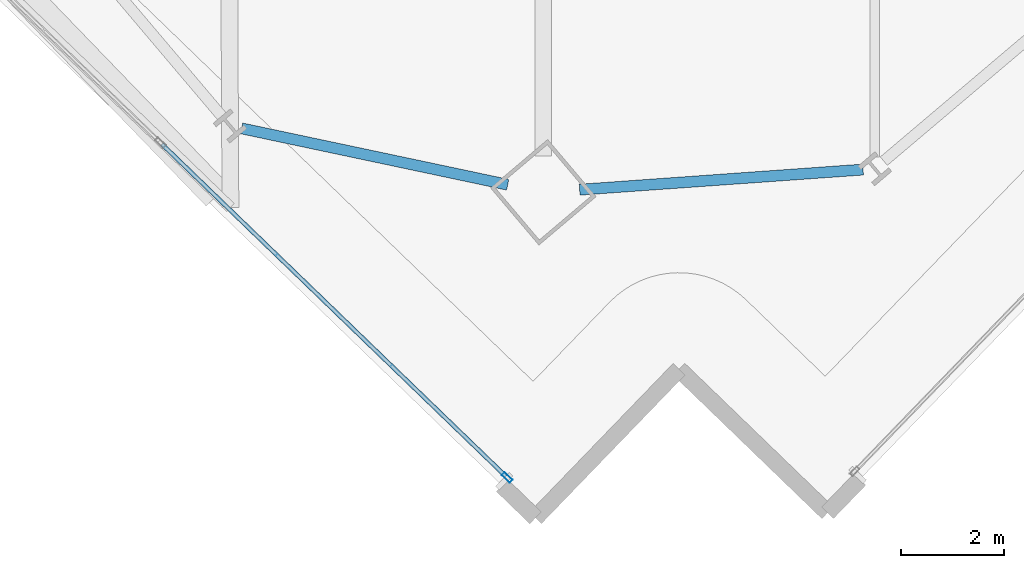
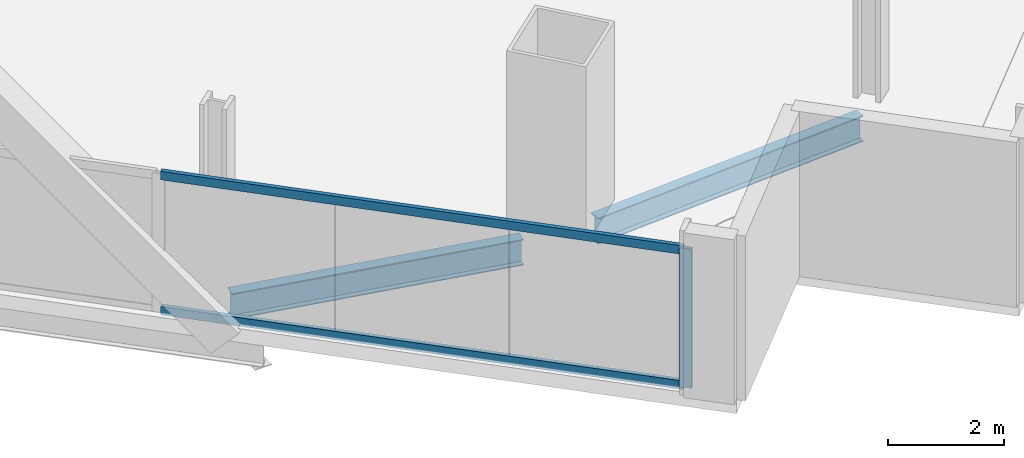
# One storey, part 3 of 33: 3 members, 2 beams, 1 element without a shape of its own.
"""IFC4 building model written with IfcOpenShell, lengths in metres."""

import ifcopenshell
import ifcopenshell.guid

model = None  # the IFC model being written
_history = None  # IfcOwnerHistory: only IFC2X3 demands one
_inside = {}  # id of a spatial element -> (the spatial element, [elements in it])
_under = {}  # id of a project, library or spatial element -> (it, [spatial elements below it])
_declared = {}  # id of a project -> (the project, [libraries it declares])
_typed = {}  # id of a type object -> (the type object, [elements of that type])
_made_of = {}  # id of a material, layer set ... -> (it, [elements and type objects made of it])


def new_model(schema):
    """Start an empty IFC model of exactly this schema.

    Asked for "IFC4X3", IfcOpenShell would pick the latest addendum, in which some entities
    have other attributes; the version numbers below select the first issue.
    IFC2X3 requires an IfcOwnerHistory on every rooted entity: one is made here for all.
    """
    global model, _history
    if schema == "IFC4X3":
        model = ifcopenshell.file(schema_version=(4, 3, 0, 0))
    else:
        model = ifcopenshell.file(schema=schema)
    _inside.clear()
    _under.clear()
    _declared.clear()
    _typed.clear()
    _made_of.clear()
    _history = None
    if model.schema == "IFC2X3":
        org = make("IfcOrganization", Name="unknown")
        user = make(
            "IfcPersonAndOrganization",
            ThePerson=make("IfcPerson", FamilyName="unknown"),
            TheOrganization=org,
        )
        app = make(
            "IfcApplication",
            ApplicationDeveloper=org,
            Version="unknown",
            ApplicationFullName="unknown",
            ApplicationIdentifier="unknown",
        )
        _history = make(
            "IfcOwnerHistory",
            OwningUser=user,
            OwningApplication=app,
            ChangeAction="ADDED",
            CreationDate=0,
        )
    return model


def make(cls, **values):
    """One entity of the class cls with the attributes given. An attribute that is None is left unset."""
    return model.create_entity(
        cls, **{name: value for name, value in values.items() if value is not None}
    )


def rooted(cls, **values):
    """An entity with a GlobalId (a new one), such as an element, a storey or a relation."""
    return make(cls, GlobalId=ifcopenshell.guid.new(), OwnerHistory=_history, **values)


def si_unit(unit_type, name, prefix=None):
    """IfcSIUnit, for example si_unit("LENGTHUNIT", "METRE", prefix="MILLI")."""
    return make("IfcSIUnit", UnitType=unit_type, Prefix=prefix, Name=name)


def assignment(units):
    """IfcUnitAssignment: the units of a project."""
    return None if units is None else make("IfcUnitAssignment", Units=units)


def point(xyz):
    """IfcCartesianPoint."""
    return None if xyz is None else make("IfcCartesianPoint", Coordinates=xyz)


def direction(xyz):
    """IfcDirection."""
    return None if xyz is None else make("IfcDirection", DirectionRatios=xyz)


def frame(location, z_axis=None, x_axis=None):
    """IfcAxis2Placement3D, a coordinate frame: its origin and axes. An axis left out is left unset."""
    return make(
        "IfcAxis2Placement3D",
        Location=point(location),
        Axis=direction(z_axis),
        RefDirection=direction(x_axis),
    )


def frame_2d(location, x_axis=None):
    """IfcAxis2Placement2D, a coordinate frame in the plane: its origin and x axis."""
    return make(
        "IfcAxis2Placement2D", Location=point(location), RefDirection=direction(x_axis)
    )


def origin():
    """The frame at (0, 0, 0) with its axes left unset."""
    return frame((0.0, 0.0, 0.0))


def origin_2d():
    """The frame at (0, 0) in the plane with its x axis left unset."""
    return frame_2d((0.0, 0.0))


def place(relative_to, where):
    """IfcLocalPlacement: puts the frame where relative to a parent placement (None: the world)."""
    return make(
        "IfcLocalPlacement", PlacementRelTo=relative_to, RelativePlacement=where
    )


def context(
    kind, dimensions, precision=None, world=None, true_north=None, identifier=None
):
    """IfcGeometricRepresentationContext, for example the 3D "Model" context."""
    return make(
        "IfcGeometricRepresentationContext",
        ContextIdentifier=identifier,
        ContextType=kind,
        CoordinateSpaceDimension=dimensions,
        Precision=precision,
        WorldCoordinateSystem=world,
        TrueNorth=true_north,
    )


def subcontext(parent, identifier, kind, view, scale=None):
    """IfcGeometricRepresentationSubContext, for example "Body" below "Model"."""
    return make(
        "IfcGeometricRepresentationSubContext",
        ContextIdentifier=identifier,
        ContextType=kind,
        ParentContext=parent,
        TargetScale=scale,
        TargetView=view,
    )


def project(units=None, contexts=None):
    """IfcProject with its units and contexts."""
    return rooted(
        "IfcProject",
        Name="project",
        RepresentationContexts=contexts,
        UnitsInContext=assignment(units),
    )


def spatial(cls, under=None, at=None, **own):
    """A site, building, storey or space (cls), placed at a placement, below another one or the project."""
    s = rooted(cls, ObjectPlacement=at, **own)
    if under is not None:
        _under.setdefault(under.id(), (under, []))[1].append(s)
    return s


def profile(cls, at=None, kind="AREA", **sizes):
    """A parametric profile (cls). Its sizes go by their IFC names, for example OverallWidth=200.0."""
    return make(cls, ProfileType=kind, Position=at, **sizes)


def hollow_rectangle(**sizes):
    """IfcRectangleHollowProfileDef."""
    return profile("IfcRectangleHollowProfileDef", **sizes)


def i_section(**sizes):
    """IfcIShapeProfileDef."""
    return profile("IfcIShapeProfileDef", **sizes)


def extrude(swept, where, along, depth):
    """IfcExtrudedAreaSolid: the profile swept, set in the frame where, extruded along a direction by depth."""
    return make(
        "IfcExtrudedAreaSolid",
        SweptArea=swept,
        Position=where,
        ExtrudedDirection=direction(along),
        Depth=depth,
    )


def shape(context_of_items, identifier, shape_type, items):
    """IfcShapeRepresentation: the items that make up one representation, for example the "Body"."""
    return make(
        "IfcShapeRepresentation",
        ContextOfItems=context_of_items,
        RepresentationIdentifier=identifier,
        RepresentationType=shape_type,
        Items=items,
    )


def material(Name=None, Category=None):
    """IfcMaterial."""
    return make("IfcMaterial", Name=Name, Category=Category)


def material_profile(
    of_material, cross_section, Name=None, Category=None, Priority=None
):
    """IfcMaterialProfile: a cross section and its material."""
    return make(
        "IfcMaterialProfile",
        Name=Name,
        Material=of_material,
        Profile=cross_section,
        Priority=Priority,
        Category=Category,
    )


def profile_set(profiles, Name=None, composite=None):
    """IfcMaterialProfileSet."""
    return make(
        "IfcMaterialProfileSet",
        Name=Name,
        MaterialProfiles=profiles,
        CompositeProfile=composite,
    )


def made_of(thing, what):
    """Note that an element or type object is made of a material, layer set ...; save() writes the relation."""
    if what is not None:
        _made_of.setdefault(what.id(), (what, []))[1].append(thing)
    return thing


def type_object(cls, material=None, **own):
    """A type object (cls), such as IfcWallType, which elements share."""
    return made_of(rooted(cls, **own), material)


def element(
    cls,
    number,
    at=None,
    inside=None,
    cuts=None,
    type_object=None,
    material=None,
    context=None,
    identifier="Body",
    shape_type=None,
    held_by="IfcProductDefinitionShape",
    body=None,
    shapes=None,
    **own,
):
    """One element of the class cls, such as IfcWall. Its Tag is "e" and its number.

    at: its placement. inside: the storey or other place that contains it. cuts: it is an
    opening in that element (IfcRelVoidsElement). A single representation is given by context,
    identifier, shape_type and body (its items); several are given by shapes. held_by: the class
    of the entity that holds the representations. save() writes the other relations.
    """
    e = rooted(cls, Tag="e%d" % number, ObjectPlacement=at, **own)
    if body is not None:
        shapes = [shape(context, identifier, shape_type, body)]
    if shapes is not None:
        e.Representation = make(held_by, Representations=shapes)
    if inside is not None:
        _inside.setdefault(inside.id(), (inside, []))[1].append(e)
    if cuts is not None:
        rooted(
            "IfcRelVoidsElement", RelatingBuildingElement=cuts, RelatedOpeningElement=e
        )
    if type_object is not None:
        _typed.setdefault(type_object.id(), (type_object, []))[1].append(e)
    return made_of(e, material)


def aggregate(whole, parts):
    """IfcRelAggregates: a whole, such as a stair, and the parts it consists of."""
    return rooted("IfcRelAggregates", RelatingObject=whole, RelatedObjects=parts)


def save(model, path):
    """Write the relations noted so far, then the file.

    IfcRelAggregates (storeys below a building ...), IfcRelContainedInSpatialStructure (elements
    in a storey), IfcRelDefinesByType, IfcRelAssociatesMaterial and IfcRelDeclares: one each for
    every whole, place, type object, material and project.
    """
    for whole, parts in _under.values():
        aggregate(whole, parts)
    for where, things in _inside.values():
        rooted(
            "IfcRelContainedInSpatialStructure",
            RelatedElements=things,
            RelatingStructure=where,
        )
    for kind, things in _typed.values():
        rooted("IfcRelDefinesByType", RelatedObjects=things, RelatingType=kind)
    for what, things in _made_of.values():
        rooted("IfcRelAssociatesMaterial", RelatedObjects=things, RelatingMaterial=what)
    for by, libraries in _declared.values():
        rooted("IfcRelDeclares", RelatingContext=by, RelatedDefinitions=libraries)
    model.write(path)


model = new_model("IFC4")

# Units and contexts
model_context = context("Model", 3, precision=1e-05, world=origin(), true_north=direction((0.0, 1.0)))
body_context = subcontext(model_context, "Body", "Model", "MODEL_VIEW")
ifc_project = project(units=[si_unit("LENGTHUNIT", "METRE"), si_unit("AREAUNIT", "SQUARE_METRE"), si_unit("VOLUMEUNIT", "CUBIC_METRE"), si_unit("PLANEANGLEUNIT", "RADIAN"), si_unit("MASSUNIT", "GRAM", prefix="KILO")], contexts=[model_context])

# Site, building, storey
site_placement = place(None, origin())
site = spatial("IfcSite", under=ifc_project, at=site_placement, CompositionType="ELEMENT")
building_placement = place(site_placement, origin())
building = spatial("IfcBuilding", under=site, at=building_placement, Name="Haldenkirk Collegiate Tower", CompositionType="ELEMENT")
storey_placement = place(building_placement, frame((0.0, 0.0, 181.949951171875)))
storey = spatial("IfcBuildingStorey", under=building, at=storey_placement, Name="L45", CompositionType="ELEMENT", Elevation=181.949951171875)

# Beams
ifc_material_1 = material(Name="Steel ASTM A992 Grade 50", Category="steel")
ifc_material_profile_1 = material_profile(ifc_material_1, i_section(OverallWidth=0.2119140625, OverallDepth=0.5439453125, WebThickness=0.01318359375, FlangeThickness=0.021240234375, at=origin_2d()), Name="W21X83")
ifc_profile_set_1 = profile_set([ifc_material_profile_1], Name="Steel ASTM A992 Grade 50")
beam_type = type_object("IfcBeamType", Name="BM-SPANDREL-W21X83", PredefinedType="SPANDREL", material=ifc_profile_set_1)
beam_1_placement = place(storey_placement, frame((33.852294921875, 0.707763671875, -0.56201171875), z_axis=(0.997489017738, 0.070821320891, 0.0), x_axis=(-0.070821320891, 0.997489017738, 0.0)))
element("IfcBeam", 1, at=beam_1_placement, inside=storey, type_object=beam_type, Name="L45 perimeter spandrel beam 01", PredefinedType="SPANDREL", context=body_context, shape_type="SweptSolid", body=[
    extrude(i_section(OverallWidth=0.2119140625, OverallDepth=0.5439453125, WebThickness=0.01318359375, FlangeThickness=0.021240234375, at=origin_2d()), origin(), (0.0, 0.0, 1.0), 5.501953125),
])
beam_2_placement = place(storey_placement, frame((27.306884765625, 1.89501953125, -0.56201171875), z_axis=(0.978307627668, -0.207157393416, 0.0), x_axis=(0.207157393416, 0.978307627668, 0.0)))
element("IfcBeam", 2, at=beam_2_placement, inside=storey, type_object=beam_type, Name="L45 perimeter spandrel beam 16", PredefinedType="SPANDREL", context=body_context, shape_type="SweptSolid", body=[
    extrude(i_section(OverallWidth=0.2119140625, OverallDepth=0.5439453125, WebThickness=0.01318359375, FlangeThickness=0.021240234375, at=origin_2d()), origin(), (0.0, 0.0, 1.0), 5.266845703125),
])

# Curtain wall, members
ifc_material_2 = material(Name="Anodised architectural bronze aluminium", Category="aluminium")
curtain_wall_type = type_object("IfcCurtainWallType", Name="CW-SYS1-CONVEX-LOW", PredefinedType="USERDEFINED", material=ifc_material_2)
curtain_wall_placement = place(storey_placement, origin())
curtain_wall = element("IfcCurtainWall", 3, at=curtain_wall_placement, inside=storey, type_object=curtain_wall_type, Name="L45 Lower tower convex bronze-framed unitised curtain wall", ObjectType="UNITISED CURTAIN WALL", PredefinedType="USERDEFINED")
ifc_material_profile_2 = material_profile(ifc_material_2, hollow_rectangle(XDim=0.080078125, YDim=0.219970703125, WallThickness=0.0048828125, at=origin_2d()), Name="CW-MUL-1A")
ifc_profile_set_2 = profile_set([ifc_material_profile_2], Name="Anodised architectural bronze aluminium")
member_type_1 = type_object("IfcMemberType", Name="CW-MUL-1A", PredefinedType="MULLION", material=ifc_profile_set_2)
member_1_placement = place(storey_placement, frame((32.447509765625, -4.86474609375, 0.0), z_axis=(0.0, 0.0, 1.0), x_axis=(-0.694657514243, -0.719340627176, 0.0)))
member_1 = element("IfcMember", 4, at=member_1_placement, type_object=member_type_1, Name="CW-1A mullion 1", PredefinedType="MULLION", context=body_context, shape_type="SweptSolid", body=[
    extrude(hollow_rectangle(XDim=0.080078125, YDim=0.219970703125, WallThickness=0.0048828125, at=origin_2d()), origin(), (0.0, 0.0, 1.0), 2.9111328125),
])
ifc_material_profile_3 = material_profile(ifc_material_2, hollow_rectangle(XDim=0.080078125, YDim=0.179931640625, WallThickness=0.0048828125, at=origin_2d()), Name="CW-TRN-1A")
ifc_profile_set_3 = profile_set([ifc_material_profile_3], Name="Anodised architectural bronze aluminium")
member_type_2 = type_object("IfcMemberType", Name="CW-TRN-1A", PredefinedType="USERDEFINED", material=ifc_profile_set_3)
member_2_placement = place(storey_placement, frame((32.418701171875, -4.8369140625, 0.0400390625), z_axis=(-0.719326861715, 0.694671768546, 0.0), x_axis=(-0.694671768546, -0.719326861715, 0.0)))
member_2 = element("IfcMember", 5, at=member_2_placement, type_object=member_type_2, Name="CW-1A transom 1.1", ObjectType="TRANSOM", PredefinedType="USERDEFINED", context=body_context, shape_type="SweptSolid", body=[
    extrude(hollow_rectangle(XDim=0.080078125, YDim=0.179931640625, WallThickness=0.0048828125, at=origin_2d()), origin(), (0.0, 0.0, 1.0), 9.248779296875),
])
member_3_placement = place(storey_placement, frame((32.418701171875, -4.8369140625, 2.87109375), z_axis=(-0.719326861715, 0.694671768546, 0.0), x_axis=(-0.694671768546, -0.719326861715, 0.0)))
member_3 = element("IfcMember", 6, at=member_3_placement, type_object=member_type_2, Name="CW-1A transom 1.2", ObjectType="TRANSOM", PredefinedType="USERDEFINED", context=body_context, shape_type="SweptSolid", body=[
    extrude(hollow_rectangle(XDim=0.080078125, YDim=0.179931640625, WallThickness=0.0048828125, at=origin_2d()), origin(), (0.0, 0.0, 1.0), 9.248779296875),
])
aggregate(curtain_wall, [member_1, member_2, member_3])

save(model, "model.ifc")
